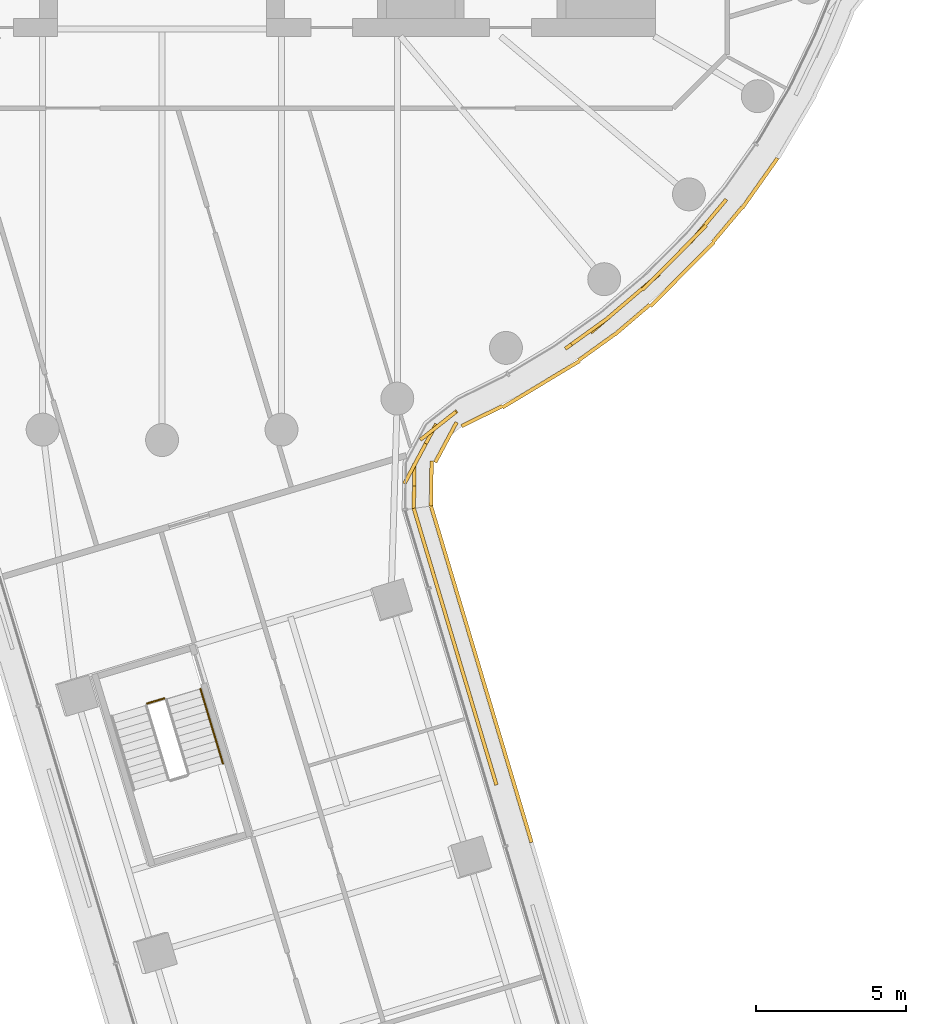
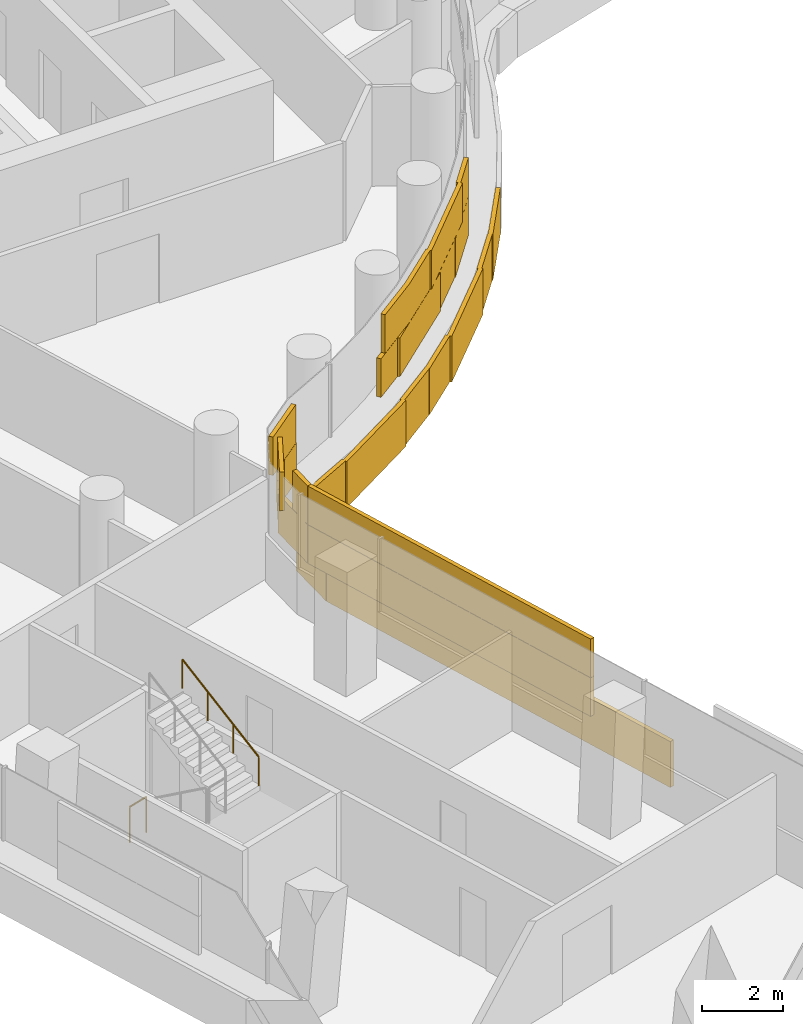
# One storey, part 25 of 32: 2 coverings, 2 railings.
"""IFC4 building model written with IfcOpenShell, lengths in metres."""

from ifc_helpers import new_model, si_unit, direction, frame, origin, origin_2d, place, context, subcontext, project, spatial, rectangle, circle, extrude, material, layer, layer_set, type_object, element, save


model = new_model("IFC4")

# Units and contexts
model_context = context("Model", 3, precision=1e-05, world=origin(), true_north=direction((0.0, 1.0)))
body_context = subcontext(model_context, "Body", "Model", "MODEL_VIEW")
ifc_project = project(units=[si_unit("LENGTHUNIT", "METRE"), si_unit("AREAUNIT", "SQUARE_METRE"), si_unit("VOLUMEUNIT", "CUBIC_METRE"), si_unit("PLANEANGLEUNIT", "RADIAN"), si_unit("MASSUNIT", "GRAM", prefix="KILO")], contexts=[model_context])

# Site, building, storey
site_placement = place(None, origin())
site = spatial("IfcSite", under=ifc_project, at=site_placement, CompositionType="ELEMENT")
building_placement = place(site_placement, origin())
building = spatial("IfcBuilding", under=site, at=building_placement, Name="Tamarind Cross Interchange Tower", CompositionType="ELEMENT")
storey_placement = place(building_placement, frame((0.0, 0.0, 94.75)))
storey = spatial("IfcBuildingStorey", under=building, at=storey_placement, Name="L22", CompositionType="ELEMENT", Elevation=94.75)

# Railings
ifc_material_1 = material(Name="Stair guard")
railing_type_1 = type_object("IfcRailingType", Name="Stair guard", PredefinedType="GUARDRAIL", material=ifc_material_1)
railing_1_placement = place(storey_placement, frame((-0.499755859375, -31.808349609375, 0.0)))
element("IfcRailing", 1, at=railing_1_placement, inside=storey, type_object=railing_type_1, Name="L22 ST6 stair guard 4", PredefinedType="GUARDRAIL", context=body_context, shape_type="SweptSolid", body=[
    extrude(circle(Radius=0.02392578125, at=origin_2d()), frame((0.0, 0.0, 1.076171875), z_axis=(0.957702972853, 0.287758606803, 0.0), x_axis=(-0.287758606803, 0.957702972853, 0.0)), (0.0, 0.0, 1.0), 0.599853515625),
    extrude(circle(Radius=0.02099609375, at=origin_2d()), origin(), (0.0, 0.0, 1.0), 1.052001953125),
    extrude(circle(Radius=0.02099609375, at=origin_2d()), frame((0.574462890625, 0.172607421875, 0.0)), (0.0, 0.0, 1.0), 1.052001953125),
])
ifc_material_2 = material(Name="Stair handrail")
railing_type_2 = type_object("IfcRailingType", Name="Stair handrail", PredefinedType="HANDRAIL", material=ifc_material_2)
railing_2_placement = place(storey_placement, frame((2.0341796875, -33.814208984375, 2.04541015625)))
element("IfcRailing", 2, at=railing_2_placement, inside=storey, type_object=railing_type_2, Name="L22 ST6 stair handrail 2", PredefinedType="HANDRAIL", context=body_context, shape_type="SweptSolid", body=[
    extrude(circle(Radius=0.02392578125, at=origin_2d()), frame((0.0, 0.0, 0.8759765625), z_axis=(-0.240525621842, 0.800966811225, 0.5482696349), x_axis=(-0.957748720779, -0.287606307034, 0.0)), (0.0, 0.0, 1.0), 3.109130859375),
    extrude(circle(Radius=0.02099609375, at=origin_2d()), origin(), (0.0, 0.0, 1.0), 0.851806640625),
    extrude(circle(Radius=0.02099609375, at=origin_2d()), frame((-0.249267578125, 0.830078125, 0.568115234375)), (0.0, 0.0, 1.0), 0.851806640625),
    extrude(circle(Radius=0.02099609375, at=origin_2d()), frame((-0.49853515625, 1.66015625, 1.136474609375)), (0.0, 0.0, 1.0), 0.851806640625),
    extrude(circle(Radius=0.02099609375, at=origin_2d()), frame((-0.747802734375, 2.490234375, 1.70458984375)), (0.0, 0.0, 1.0), 0.851806640625),
])

# Coverings
ifc_material_3 = material(Name="Terracotta", Category="masonry")
ifc_layer = layer(ifc_material_3, 0.1201171875)
ifc_layer_set = layer_set([ifc_layer], Name="Terracotta")
covering_type = type_object("IfcCoveringType", Name="Terracotta baguette screen unit", PredefinedType="MOLDING", material=ifc_layer_set)
covering_1_placement = place(storey_placement, origin())
element("IfcCovering", 3, at=covering_1_placement, inside=storey, type_object=covering_type, Name="SCR-L22-09-01", PredefinedType="MOLDING", context=body_context, shape_type="SweptSolid", body=[
    extrude(rectangle(XDim=0.59033203125, YDim=0.1201171875, at=origin_2d()), frame((11.096435546875, -34.24853515625, 1.404052734375), z_axis=(0.0, 0.0, 1.0), x_axis=(-0.286304452373, 0.958138695884, 0.0)), (0.0, 0.0, 1.0), 1.1669921875),
    extrude(rectangle(XDim=1.52001953125, YDim=0.1201171875, at=origin_2d()), frame((10.798583984375, -33.251953125, 1.404052734375), z_axis=(0.0, 0.0, 1.0), x_axis=(-0.286304452373, 0.958138695884, 0.0)), (0.0, 0.0, 1.0), 1.1669921875),
    extrude(rectangle(XDim=1.52001953125, YDim=0.1201171875, at=origin_2d()), frame((10.369140625, -31.814697265625, 1.404052734375), z_axis=(0.0, 0.0, 1.0), x_axis=(-0.286304452373, 0.958138695884, 0.0)), (0.0, 0.0, 1.0), 1.1669921875),
    extrude(rectangle(XDim=1.52001953125, YDim=0.1201171875, at=origin_2d()), frame((9.939697265625, -30.37744140625, 1.404052734375), z_axis=(0.0, 0.0, 1.0), x_axis=(-0.286304452373, 0.958138695884, 0.0)), (0.0, 0.0, 1.0), 1.1669921875),
    extrude(rectangle(XDim=1.52001953125, YDim=0.1201171875, at=origin_2d()), frame((9.51025390625, -28.9404296875, 1.404052734375), z_axis=(0.0, 0.0, 1.0), x_axis=(-0.286304452373, 0.958138695884, 0.0)), (0.0, 0.0, 1.0), 1.1669921875),
    extrude(rectangle(XDim=1.52001953125, YDim=0.1201171875, at=origin_2d()), frame((9.080810546875, -27.503173828125, 1.404052734375), z_axis=(0.0, 0.0, 1.0), x_axis=(-0.286304452373, 0.958138695884, 0.0)), (0.0, 0.0, 1.0), 1.1669921875),
    extrude(rectangle(XDim=1.52001953125, YDim=0.1201171875, at=origin_2d()), frame((8.6513671875, -26.06591796875, 1.404052734375), z_axis=(0.0, 0.0, 1.0), x_axis=(-0.286304452373, 0.958138695884, 0.0)), (0.0, 0.0, 1.0), 1.1669921875),
    extrude(rectangle(XDim=0.0751953125, YDim=0.1201171875, at=origin_2d()), frame((8.42724609375, -25.316162109375, 1.404052734375), z_axis=(0.0, 0.0, 1.0), x_axis=(-0.286304452373, 0.958138695884, 0.0)), (0.0, 0.0, 1.0), 1.1669921875),
    extrude(rectangle(XDim=1.34033203125, YDim=0.1201171875, at=origin_2d()), frame((10.989013671875, -33.88916015625, 2.5791015625), z_axis=(0.0, 0.0, 1.0), x_axis=(-0.286304452373, 0.958138695884, 0.0)), (0.0, 0.0, 1.0), 1.1669921875),
    extrude(rectangle(XDim=1.52001953125, YDim=0.1201171875, at=origin_2d()), frame((10.583740234375, -32.533447265625, 2.5791015625), z_axis=(0.0, 0.0, 1.0), x_axis=(-0.286304452373, 0.958138695884, 0.0)), (0.0, 0.0, 1.0), 1.1669921875),
    extrude(rectangle(XDim=1.52001953125, YDim=0.1201171875, at=origin_2d()), frame((10.154296875, -31.09619140625, 2.5791015625), z_axis=(0.0, 0.0, 1.0), x_axis=(-0.286304452373, 0.958138695884, 0.0)), (0.0, 0.0, 1.0), 1.1669921875),
    extrude(rectangle(XDim=1.52001953125, YDim=0.1201171875, at=origin_2d()), frame((9.724853515625, -29.658935546875, 2.5791015625), z_axis=(0.0, 0.0, 1.0), x_axis=(-0.286304452373, 0.958138695884, 0.0)), (0.0, 0.0, 1.0), 1.1669921875),
    extrude(rectangle(XDim=1.52001953125, YDim=0.1201171875, at=origin_2d()), frame((9.29541015625, -28.2216796875, 2.5791015625), z_axis=(0.0, 0.0, 1.0), x_axis=(-0.286304452373, 0.958138695884, 0.0)), (0.0, 0.0, 1.0), 1.1669921875),
    extrude(rectangle(XDim=1.52001953125, YDim=0.1201171875, at=origin_2d()), frame((8.865966796875, -26.784423828125, 2.5791015625), z_axis=(0.0, 0.0, 1.0), x_axis=(-0.286304452373, 0.958138695884, 0.0)), (0.0, 0.0, 1.0), 1.1669921875),
    extrude(rectangle(XDim=0.8251953125, YDim=0.1201171875, at=origin_2d()), frame((8.53466796875, -25.675537109375, 2.5791015625), z_axis=(0.0, 0.0, 1.0), x_axis=(-0.286304452373, 0.958138695884, 0.0)), (0.0, 0.0, 1.0), 1.1669921875),
    extrude(rectangle(XDim=1.1953125, YDim=0.1201171875, at=origin_2d()), frame((12.1826171875, -35.878662109375, 0.00390625), z_axis=(0.0, 0.0, 1.0), x_axis=(-0.286304452373, 0.958138695884, 0.0)), (0.0, 0.0, 1.0), 1.39208984375),
    extrude(rectangle(XDim=1.52001953125, YDim=0.1201171875, at=origin_2d()), frame((11.799560546875, -34.596923828125, 0.00390625), z_axis=(0.0, 0.0, 1.0), x_axis=(-0.286304452373, 0.958138695884, 0.0)), (0.0, 0.0, 1.0), 1.39208984375),
    extrude(rectangle(XDim=1.52001953125, YDim=0.1201171875, at=origin_2d()), frame((11.3701171875, -33.15966796875, 0.00390625), z_axis=(0.0, 0.0, 1.0), x_axis=(-0.286304452373, 0.958138695884, 0.0)), (0.0, 0.0, 1.0), 1.39208984375),
    extrude(rectangle(XDim=1.52001953125, YDim=0.1201171875, at=origin_2d()), frame((10.940673828125, -31.722412109375, 0.00390625), z_axis=(0.0, 0.0, 1.0), x_axis=(-0.286304452373, 0.958138695884, 0.0)), (0.0, 0.0, 1.0), 1.39208984375),
    extrude(rectangle(XDim=1.52001953125, YDim=0.1201171875, at=origin_2d()), frame((10.51123046875, -30.28515625, 0.00390625), z_axis=(0.0, 0.0, 1.0), x_axis=(-0.286304452373, 0.958138695884, 0.0)), (0.0, 0.0, 1.0), 1.39208984375),
    extrude(rectangle(XDim=1.52001953125, YDim=0.1201171875, at=origin_2d()), frame((10.081787109375, -28.84814453125, 0.00390625), z_axis=(0.0, 0.0, 1.0), x_axis=(-0.286304452373, 0.958138695884, 0.0)), (0.0, 0.0, 1.0), 1.39208984375),
    extrude(rectangle(XDim=1.52001953125, YDim=0.1201171875, at=origin_2d()), frame((9.65234375, -27.410888671875, 0.00390625), z_axis=(0.0, 0.0, 1.0), x_axis=(-0.286304452373, 0.958138695884, 0.0)), (0.0, 0.0, 1.0), 1.39208984375),
    extrude(rectangle(XDim=1.52001953125, YDim=0.1201171875, at=origin_2d()), frame((9.222900390625, -25.9736328125, 0.00390625), z_axis=(0.0, 0.0, 1.0), x_axis=(-0.286304452373, 0.958138695884, 0.0)), (0.0, 0.0, 1.0), 1.39208984375),
    extrude(rectangle(XDim=0.06201171875, YDim=0.1201171875, at=origin_2d()), frame((9.001953125, -25.23486328125, 0.00390625), z_axis=(0.0, 0.0, 1.0), x_axis=(-0.286304452373, 0.958138695884, 0.0)), (0.0, 0.0, 1.0), 1.39208984375),
])
covering_2_placement = place(storey_placement, origin())
element("IfcCovering", 4, at=covering_2_placement, inside=storey, type_object=covering_type, Name="SCR-L22-10-00", PredefinedType="MOLDING", context=body_context, shape_type="SweptSolid", body=[
    extrude(rectangle(XDim=1.510009765625, YDim=0.1201171875, at=origin_2d()), frame((8.4287109375, -24.534912109375, 1.404052734375), z_axis=(0.0, 0.0, 1.0), x_axis=(0.014412351413, 0.99989613667, 0.0)), (0.0, 0.0, 1.0), 1.1669921875),
    extrude(rectangle(XDim=1.52001953125, YDim=0.1201171875, at=origin_2d()), frame((8.8125, -23.12841796875, 1.404052734375), z_axis=(0.0, 0.0, 1.0), x_axis=(0.470495076305, 0.882402619654, 0.0)), (0.0, 0.0, 1.0), 1.1669921875),
    extrude(rectangle(XDim=0.80322265625, YDim=0.1201171875, at=origin_2d()), frame((9.543212890625, -22.276611328125, 1.404052734375), z_axis=(0.0, 0.0, 1.0), x_axis=(0.785119964938, 0.619343717701, 0.0)), (0.0, 0.0, 1.0), 1.1669921875),
    extrude(rectangle(XDim=1.016845703125, YDim=0.1201171875, at=origin_2d()), frame((13.89794921875, -19.64794921875, 1.404052734375), z_axis=(0.0, 0.0, 1.0), x_axis=(0.811340475102, 0.584573890505, 0.0)), (0.0, 0.0, 1.0), 1.1669921875),
    extrude(rectangle(XDim=1.52001953125, YDim=0.1201171875, at=origin_2d()), frame((14.912353515625, -18.912109375, 1.404052734375), z_axis=(0.0, 0.0, 1.0), x_axis=(0.760295606781, 0.64957723968, 0.0)), (0.0, 0.0, 1.0), 1.1669921875),
    extrude(rectangle(XDim=1.52001953125, YDim=0.1201171875, at=origin_2d()), frame((16.052734375, -17.937744140625, 1.404052734375), z_axis=(0.0, 0.0, 1.0), x_axis=(0.760295606781, 0.64957723968, 0.0)), (0.0, 0.0, 1.0), 1.1669921875),
    extrude(rectangle(XDim=1.52001953125, YDim=0.1201171875, at=origin_2d()), frame((17.1337890625, -16.899169921875, 1.404052734375), z_axis=(0.0, 0.0, 1.0), x_axis=(0.704057148523, 0.710143317658, 0.0)), (0.0, 0.0, 1.0), 1.1669921875),
    extrude(rectangle(XDim=1.52001953125, YDim=0.1201171875, at=origin_2d()), frame((18.1552734375, -15.802490234375, 1.404052734375), z_axis=(0.0, 0.0, 1.0), x_axis=(0.643009266048, 0.765858396687, 0.0)), (0.0, 0.0, 1.0), 1.1669921875),
    extrude(rectangle(XDim=0.3662109375, YDim=0.1201171875, at=origin_2d()), frame((18.751953125, -15.091552734375, 1.404052734375), z_axis=(0.0, 0.0, 1.0), x_axis=(0.643009266048, 0.765858396687, 0.0)), (0.0, 0.0, 1.0), 1.1669921875),
    extrude(rectangle(XDim=0.760009765625, YDim=0.1201171875, at=origin_2d()), frame((8.42333984375, -24.909912109375, 2.5791015625), z_axis=(0.0, 0.0, 1.0), x_axis=(0.014412351413, 0.99989613667, 0.0)), (0.0, 0.0, 1.0), 1.1669921875),
    extrude(rectangle(XDim=1.52001953125, YDim=0.1201171875, at=origin_2d()), frame((8.459716796875, -23.790283203125, 2.5791015625), z_axis=(0.0, 0.0, 1.0), x_axis=(0.470495076305, 0.882402619654, 0.0)), (0.0, 0.0, 1.0), 1.1669921875),
    extrude(rectangle(XDim=1.52001953125, YDim=0.1201171875, at=origin_2d()), frame((9.231689453125, -22.522216796875, 2.5791015625), z_axis=(0.0, 0.0, 1.0), x_axis=(0.785119964938, 0.619343717701, 0.0)), (0.0, 0.0, 1.0), 1.1669921875),
    extrude(rectangle(XDim=1.52001953125, YDim=0.1201171875, at=origin_2d()), frame((14.306396484375, -19.353515625, 2.5791015625), z_axis=(0.0, 0.0, 1.0), x_axis=(0.811340475102, 0.584573890505, 0.0)), (0.0, 0.0, 1.0), 1.1669921875),
    extrude(rectangle(XDim=1.52001953125, YDim=0.1201171875, at=origin_2d()), frame((15.482666015625, -18.4248046875, 2.5791015625), z_axis=(0.0, 0.0, 1.0), x_axis=(0.760295606781, 0.64957723968, 0.0)), (0.0, 0.0, 1.0), 1.1669921875),
    extrude(rectangle(XDim=1.52001953125, YDim=0.1201171875, at=origin_2d()), frame((16.605712890625, -17.431884765625, 2.5791015625), z_axis=(0.0, 0.0, 1.0), x_axis=(0.704057148523, 0.710143317658, 0.0)), (0.0, 0.0, 1.0), 1.1669921875),
    extrude(rectangle(XDim=1.52001953125, YDim=0.1201171875, at=origin_2d()), frame((17.661865234375, -16.36669921875, 2.5791015625), z_axis=(0.0, 0.0, 1.0), x_axis=(0.704057148523, 0.710143317658, 0.0)), (0.0, 0.0, 1.0), 1.1669921875),
    extrude(rectangle(XDim=1.1162109375, YDim=0.1201171875, at=origin_2d()), frame((18.510986328125, -15.37890625, 2.5791015625), z_axis=(0.0, 0.0, 1.0), x_axis=(0.643009266048, 0.765858396687, 0.0)), (0.0, 0.0, 1.0), 1.1669921875),
    extrude(rectangle(XDim=1.510009765625, YDim=0.1201171875, at=origin_2d()), frame((9.00390625, -24.4501953125, 0.00390625), z_axis=(0.0, 0.0, 1.0), x_axis=(0.014412351413, 0.99989613667, 0.0)), (0.0, 0.0, 1.0), 1.39208984375),
    extrude(rectangle(XDim=1.52001953125, YDim=0.1201171875, at=origin_2d()), frame((9.491455078125, -23.0751953125, 0.00390625), z_axis=(0.0, 0.0, 1.0), x_axis=(0.470495076305, 0.882402619654, 0.0)), (0.0, 0.0, 1.0), 1.39208984375),
    extrude(rectangle(XDim=1.52001953125, YDim=0.1201171875, at=origin_2d()), frame((10.695068359375, -22.19970703125, 0.00390625), z_axis=(0.0, 0.0, 1.0), x_axis=(0.896163511691, 0.443723968604, 0.0)), (0.0, 0.0, 1.0), 1.39208984375),
    extrude(rectangle(XDim=1.52001953125, YDim=0.1201171875, at=origin_2d()), frame((12.030029296875, -21.517333984375, 0.00390625), z_axis=(0.0, 0.0, 1.0), x_axis=(0.856843065292, 0.515577308909, 0.0)), (0.0, 0.0, 1.0), 1.39208984375),
    extrude(rectangle(XDim=1.52001953125, YDim=0.1201171875, at=origin_2d()), frame((13.3154296875, -20.743896484375, 0.00390625), z_axis=(0.0, 0.0, 1.0), x_axis=(0.856843065292, 0.515577308909, 0.0)), (0.0, 0.0, 1.0), 1.39208984375),
    extrude(rectangle(XDim=1.52001953125, YDim=0.1201171875, at=origin_2d()), frame((14.54638671875, -19.88818359375, 0.00390625), z_axis=(0.0, 0.0, 1.0), x_axis=(0.811340475102, 0.584573890505, 0.0)), (0.0, 0.0, 1.0), 1.39208984375),
    extrude(rectangle(XDim=1.52001953125, YDim=0.1201171875, at=origin_2d()), frame((15.729736328125, -18.968505859375, 0.00390625), z_axis=(0.0, 0.0, 1.0), x_axis=(0.760295606781, 0.64957723968, 0.0)), (0.0, 0.0, 1.0), 1.39208984375),
    extrude(rectangle(XDim=1.52001953125, YDim=0.1201171875, at=origin_2d()), frame((16.863525390625, -17.987060546875, 0.00390625), z_axis=(0.0, 0.0, 1.0), x_axis=(0.704057148523, 0.710143317658, 0.0)), (0.0, 0.0, 1.0), 1.39208984375),
    extrude(rectangle(XDim=1.52001953125, YDim=0.1201171875, at=origin_2d()), frame((17.919677734375, -16.921875, 0.00390625), z_axis=(0.0, 0.0, 1.0), x_axis=(0.704057148523, 0.710143317658, 0.0)), (0.0, 0.0, 1.0), 1.39208984375),
    extrude(rectangle(XDim=1.52001953125, YDim=0.1201171875, at=origin_2d()), frame((18.90966796875, -15.79638671875, 0.00390625), z_axis=(0.0, 0.0, 1.0), x_axis=(0.643009266048, 0.765858396687, 0.0)), (0.0, 0.0, 1.0), 1.39208984375),
    extrude(rectangle(XDim=1.52001953125, YDim=0.1201171875, at=origin_2d()), frame((19.8388671875, -14.620361328125, 0.00390625), z_axis=(0.0, 0.0, 1.0), x_axis=(0.577568978284, 0.816341886298, 0.0)), (0.0, 0.0, 1.0), 1.39208984375),
    extrude(rectangle(XDim=0.542724609375, YDim=0.1201171875, at=origin_2d()), frame((20.4228515625, -13.794677734375, 0.00390625), z_axis=(0.0, 0.0, 1.0), x_axis=(0.577568978284, 0.816341886298, 0.0)), (0.0, 0.0, 1.0), 1.39208984375),
])

save(model, "model.ifc")
